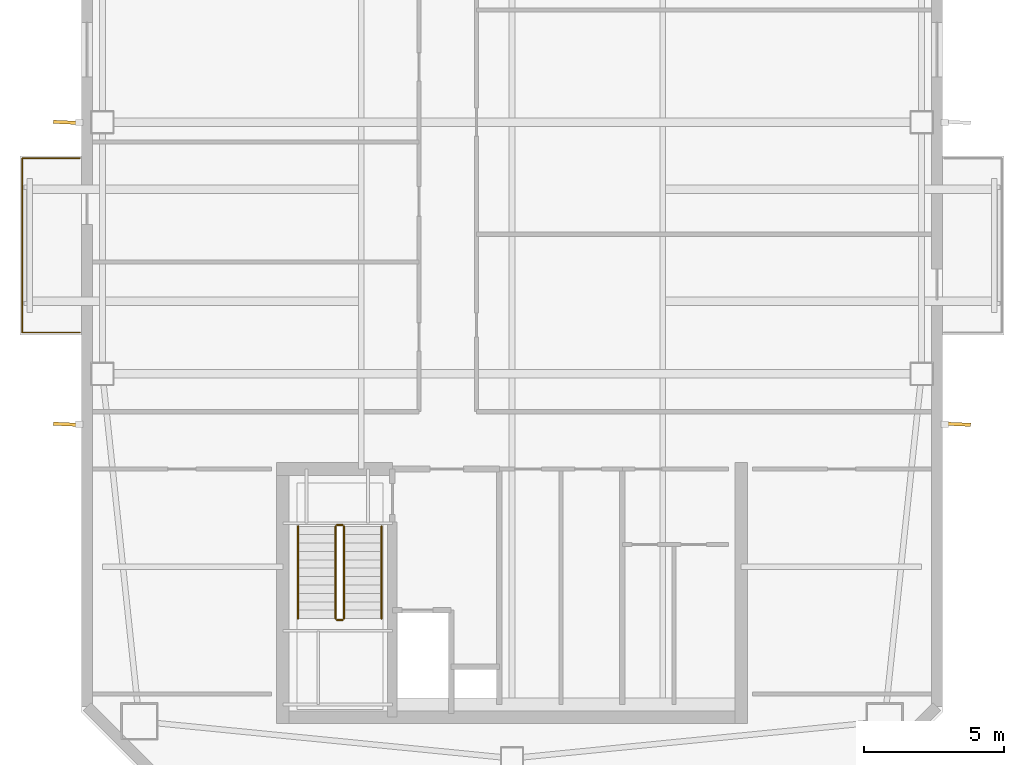
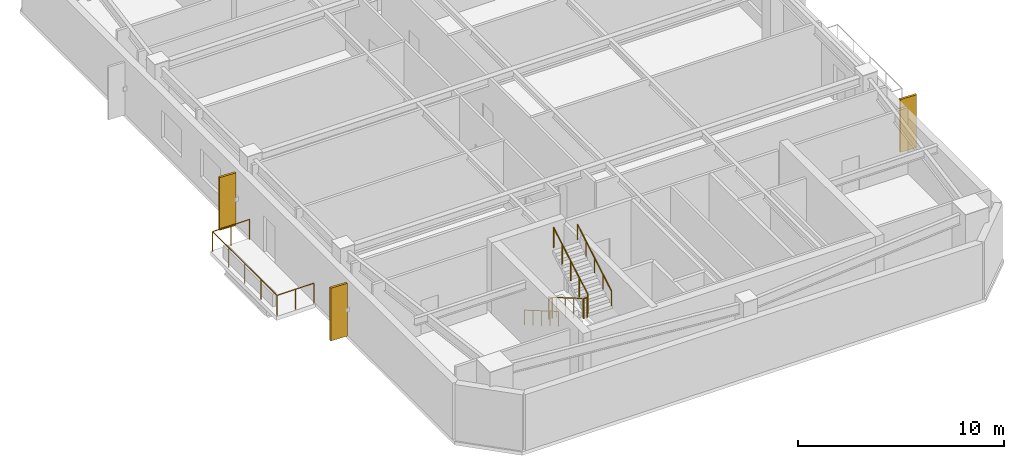
# One storey, part 5 of 6: 7 railings, 3 shading devices.
"""IFC4 building model written with IfcOpenShell, lengths in metres."""

from ifc_helpers import new_model, si_unit, direction, frame, origin, origin_2d, place, context, subcontext, project, spatial, rectangle, circle, extrude, material, layer, layer_set, type_object, element, save


model = new_model("IFC4")

# Units and contexts
model_context = context("Model", 3, precision=1e-05, world=origin(), true_north=direction((0.0, 1.0)))
body_context = subcontext(model_context, "Body", "Model", "MODEL_VIEW")
ifc_project = project(units=[si_unit("LENGTHUNIT", "METRE"), si_unit("AREAUNIT", "SQUARE_METRE"), si_unit("VOLUMEUNIT", "CUBIC_METRE"), si_unit("PLANEANGLEUNIT", "RADIAN"), si_unit("MASSUNIT", "GRAM", prefix="KILO")], contexts=[model_context])

# Site, building, storey
site_placement = place(None, origin())
site = spatial("IfcSite", under=ifc_project, at=site_placement, CompositionType="ELEMENT")
building_placement = place(site_placement, origin())
building = spatial("IfcBuilding", under=site, at=building_placement, Name="Qiaolan Cultural Towers", CompositionType="ELEMENT")
storey_placement = place(building_placement, frame((0.0, 0.0, 276.0)))
storey = spatial("IfcBuildingStorey", under=building, at=storey_placement, Name="L76", CompositionType="ELEMENT", Elevation=276.0)

# Railings
ifc_material_1 = material(Name="Laminated SentryGlas & Stainless Steel S31608 Balustrade", Category="steel")
railing_type_1 = type_object("IfcRailingType", Name="GRD-TERR-1200", PredefinedType="BALUSTRADE", material=ifc_material_1)
railing_1_placement = place(storey_placement, frame((14.550048828125, 26.47998046875, 0.0)))
element("IfcRailing", 1, at=railing_1_placement, inside=storey, type_object=railing_type_1, Name="L76 T1 Tree Balcony Guardrail W", PredefinedType="BALUSTRADE", context=body_context, shape_type="SweptSolid", body=[
    extrude(circle(Radius=0.02392578125, at=origin_2d()), frame((0.0, 0.0, 1.17578125), z_axis=(-1.0, 0.0, 0.0), x_axis=(0.0, -1.0, 0.0)), (0.0, 0.0, 1.0), 2.070068359375),
    extrude(circle(Radius=0.02392578125, at=origin_2d()), frame((-2.070068359375, 0.0, 1.17578125), z_axis=(0.0, 1.0, 0.0), x_axis=(-1.0, 0.0, 0.0)), (0.0, 0.0, 1.0), 6.239990234375),
    extrude(circle(Radius=0.02392578125, at=origin_2d()), frame((-2.070068359375, 6.239990234375, 1.17578125), z_axis=(1.0, 0.0, 0.0), x_axis=(0.0, 1.0, 0.0)), (0.0, 0.0, 1.0), 2.070068359375),
    extrude(circle(Radius=0.02099609375, at=origin_2d()), origin(), (0.0, 0.0, 1.0), 1.15185546875),
    extrude(circle(Radius=0.02099609375, at=origin_2d()), frame((-1.03515625, 0.0, 0.0)), (0.0, 0.0, 1.0), 1.15185546875),
    extrude(circle(Radius=0.02099609375, at=origin_2d()), frame((-2.070068359375, 0.0, 0.0)), (0.0, 0.0, 1.0), 1.15185546875),
    extrude(circle(Radius=0.02099609375, at=origin_2d()), frame((-2.070068359375, 1.56005859375, 0.0)), (0.0, 0.0, 1.0), 1.15185546875),
    extrude(circle(Radius=0.02099609375, at=origin_2d()), frame((-2.070068359375, 3.1201171875, 0.0)), (0.0, 0.0, 1.0), 1.15185546875),
    extrude(circle(Radius=0.02099609375, at=origin_2d()), frame((-2.070068359375, 4.679931640625, 0.0)), (0.0, 0.0, 1.0), 1.15185546875),
    extrude(circle(Radius=0.02099609375, at=origin_2d()), frame((-2.070068359375, 6.239990234375, 0.0)), (0.0, 0.0, 1.0), 1.15185546875),
    extrude(circle(Radius=0.02099609375, at=origin_2d()), frame((-1.03515625, 6.239990234375, 0.0)), (0.0, 0.0, 1.0), 1.15185546875),
    extrude(circle(Radius=0.02099609375, at=origin_2d()), frame((0.0, 6.239990234375, 0.0)), (0.0, 0.0, 1.0), 1.15185546875),
])
ifc_material_2 = material(Name="Galvanized Painted Steel Stair Guardrail", Category="steel")
railing_type_2 = type_object("IfcRailingType", Name="RL-STAIR-GRD", PredefinedType="GUARDRAIL", material=ifc_material_2)
railing_2_placement = place(storey_placement, frame((23.68994140625, 19.550048828125, 0.175048828125)))
element("IfcRailing", 2, at=railing_2_placement, inside=storey, type_object=railing_type_2, Name="L76 ST-W1 stair guard 1", PredefinedType="GUARDRAIL", context=body_context, shape_type="SweptSolid", body=[
    extrude(circle(Radius=0.02392578125, at=origin_2d()), frame((0.0, 0.0, 1.17578125), z_axis=(0.0, -0.863776583165, 0.503874998761), x_axis=(1.0, 0.0, 0.0)), (0.0, 0.0, 1.0), 3.820556640625),
    extrude(circle(Radius=0.02099609375, at=origin_2d()), origin(), (0.0, 0.0, 1.0), 1.15185546875),
    extrude(circle(Radius=0.02099609375, at=origin_2d()), frame((0.0, -0.824951171875, 0.481201171875)), (0.0, 0.0, 1.0), 1.15185546875),
    extrude(circle(Radius=0.02099609375, at=origin_2d()), frame((0.0, -1.64990234375, 0.96240234375)), (0.0, 0.0, 1.0), 1.15185546875),
    extrude(circle(Radius=0.02099609375, at=origin_2d()), frame((0.0, -2.47509765625, 1.44384765625)), (0.0, 0.0, 1.0), 1.15185546875),
    extrude(circle(Radius=0.02099609375, at=origin_2d()), frame((0.0, -3.300048828125, 1.925048828125)), (0.0, 0.0, 1.0), 1.15185546875),
])
railing_3_placement = place(storey_placement, frame((23.739990234375, 16.199951171875, 2.10009765625)))
element("IfcRailing", 3, at=railing_3_placement, inside=storey, type_object=railing_type_2, Name="L76 ST-W1 stair guard 2", PredefinedType="GUARDRAIL", context=body_context, shape_type="SweptSolid", body=[
    extrude(circle(Radius=0.02392578125, at=origin_2d()), frame((0.0, 0.0, 1.17578125), z_axis=(1.0, 0.0, 0.0), x_axis=(0.0, 1.0, 0.0)), (0.0, 0.0, 1.0), 0.199951171875),
    extrude(circle(Radius=0.02099609375, at=origin_2d()), origin(), (0.0, 0.0, 1.0), 1.15185546875),
    extrude(circle(Radius=0.02099609375, at=origin_2d()), frame((0.199951171875, 0.0, 0.0)), (0.0, 0.0, 1.0), 1.15185546875),
])
railing_4_placement = place(storey_placement, frame((23.989990234375, 16.25, 2.27490234375)))
element("IfcRailing", 4, at=railing_4_placement, inside=storey, type_object=railing_type_2, Name="L76 ST-W1 stair guard 3", PredefinedType="GUARDRAIL", context=body_context, shape_type="SweptSolid", body=[
    extrude(circle(Radius=0.02392578125, at=origin_2d()), frame((0.0, 0.0, 1.17578125), z_axis=(0.0, 0.863776583165, 0.503874998761), x_axis=(-1.0, 0.0, 0.0)), (0.0, 0.0, 1.0), 3.820556640625),
    extrude(circle(Radius=0.02099609375, at=origin_2d()), origin(), (0.0, 0.0, 1.0), 1.15185546875),
    extrude(circle(Radius=0.02099609375, at=origin_2d()), frame((0.0, 0.824951171875, 0.481201171875)), (0.0, 0.0, 1.0), 1.15185546875),
    extrude(circle(Radius=0.02099609375, at=origin_2d()), frame((0.0, 1.64990234375, 0.96240234375)), (0.0, 0.0, 1.0), 1.15185546875),
    extrude(circle(Radius=0.02099609375, at=origin_2d()), frame((0.0, 2.47509765625, 1.44384765625)), (0.0, 0.0, 1.0), 1.15185546875),
    extrude(circle(Radius=0.02099609375, at=origin_2d()), frame((0.0, 3.300048828125, 1.925048828125)), (0.0, 0.0, 1.0), 1.15185546875),
])
railing_5_placement = place(storey_placement, frame((23.739990234375, 19.60009765625, 0.0)))
element("IfcRailing", 5, at=railing_5_placement, inside=storey, type_object=railing_type_2, Name="L76 ST-W1 stair guard 4", PredefinedType="GUARDRAIL", context=body_context, shape_type="SweptSolid", body=[
    extrude(circle(Radius=0.02392578125, at=origin_2d()), frame((0.0, 0.0, 1.17578125), z_axis=(1.0, 0.0, 0.0), x_axis=(0.0, 1.0, 0.0)), (0.0, 0.0, 1.0), 0.199951171875),
    extrude(circle(Radius=0.02099609375, at=origin_2d()), origin(), (0.0, 0.0, 1.0), 1.15185546875),
    extrude(circle(Radius=0.02099609375, at=origin_2d()), frame((0.199951171875, 0.0, 0.0)), (0.0, 0.0, 1.0), 1.15185546875),
])
ifc_material_3 = material(Name="Stainless Steel S30408 Tubular Handrail", Category="steel")
railing_type_3 = type_object("IfcRailingType", Name="RL-STAIR-HR", PredefinedType="HANDRAIL", material=ifc_material_3)
railing_6_placement = place(storey_placement, frame((22.35009765625, 19.550048828125, 0.175048828125)))
element("IfcRailing", 6, at=railing_6_placement, inside=storey, type_object=railing_type_3, Name="L76 ST-W1 stair handrail 1", PredefinedType="HANDRAIL", context=body_context, shape_type="SweptSolid", body=[
    extrude(circle(Radius=0.02392578125, at=origin_2d()), frame((0.0, 0.0, 0.8759765625), z_axis=(0.0, -0.863776583165, 0.503874998761), x_axis=(1.0, 0.0, 0.0)), (0.0, 0.0, 1.0), 3.820556640625),
    extrude(circle(Radius=0.02099609375, at=origin_2d()), origin(), (0.0, 0.0, 1.0), 0.851806640625),
    extrude(circle(Radius=0.02099609375, at=origin_2d()), frame((0.0, -0.824951171875, 0.481201171875)), (0.0, 0.0, 1.0), 0.851806640625),
    extrude(circle(Radius=0.02099609375, at=origin_2d()), frame((0.0, -1.64990234375, 0.96240234375)), (0.0, 0.0, 1.0), 0.851806640625),
    extrude(circle(Radius=0.02099609375, at=origin_2d()), frame((0.0, -2.47509765625, 1.44384765625)), (0.0, 0.0, 1.0), 0.851806640625),
    extrude(circle(Radius=0.02099609375, at=origin_2d()), frame((0.0, -3.300048828125, 1.925048828125)), (0.0, 0.0, 1.0), 0.851806640625),
])
railing_7_placement = place(storey_placement, frame((25.330078125, 16.25, 2.27490234375)))
element("IfcRailing", 7, at=railing_7_placement, inside=storey, type_object=railing_type_3, Name="L76 ST-W1 stair handrail 2", PredefinedType="HANDRAIL", context=body_context, shape_type="SweptSolid", body=[
    extrude(circle(Radius=0.02392578125, at=origin_2d()), frame((0.0, 0.0, 0.8759765625), z_axis=(0.0, 0.863776583165, 0.503874998761), x_axis=(-1.0, 0.0, 0.0)), (0.0, 0.0, 1.0), 3.820556640625),
    extrude(circle(Radius=0.02099609375, at=origin_2d()), origin(), (0.0, 0.0, 1.0), 0.851806640625),
    extrude(circle(Radius=0.02099609375, at=origin_2d()), frame((0.0, 0.824951171875, 0.481201171875)), (0.0, 0.0, 1.0), 0.851806640625),
    extrude(circle(Radius=0.02099609375, at=origin_2d()), frame((0.0, 1.64990234375, 0.96240234375)), (0.0, 0.0, 1.0), 0.851806640625),
    extrude(circle(Radius=0.02099609375, at=origin_2d()), frame((0.0, 2.47509765625, 1.44384765625)), (0.0, 0.0, 1.0), 0.851806640625),
    extrude(circle(Radius=0.02099609375, at=origin_2d()), frame((0.0, 3.300048828125, 1.925048828125)), (0.0, 0.0, 1.0), 0.851806640625),
])

# Shading devices
ifc_material_4 = material(Name="Light Limestone Precast Vertical Fin", Category="masonry")
ifc_layer = layer(ifc_material_4, 0.1201171875)
ifc_layer_set = layer_set([ifc_layer], Name="Light Limestone Precast Vertical Fin")
shading_device_type = type_object("IfcShadingDeviceType", Name="SHD-FIN-WHITE", PredefinedType="USERDEFINED", material=ifc_layer_set)
for number, where, z_axis, x_axis, name in (
    (8, (14.0400390625, 23.199951171875, 0.10009765625), (0.0, 0.0, 1.0), (0.998966827039, -0.045445335018, 0.0), "L76 T1 Expressive Precast Vertical Fin W1"),
    (9, (14.0400390625, 34.0, 0.10009765625), (0.0, 0.0, 1.0), (0.998966827039, -0.045445335018, 0.0), "L76 T1 Expressive Precast Vertical Fin W2"),
    (10, (45.9599609375, 23.199951171875, 0.10009765625), (0.0, 0.0, 1.0), (0.998966827039, -0.045445335018, 0.0), "L76 T1 Expressive Precast Vertical Fin E1"),
):
    element("IfcShadingDevice", number, at=place(storey_placement, frame(where, z_axis=z_axis, x_axis=x_axis)), inside=storey, type_object=shading_device_type, Name=name, ObjectType="FIN", PredefinedType="USERDEFINED", context=body_context, shape_type="SweptSolid", body=[
        extrude(rectangle(XDim=0.89990234375, YDim=0.1201171875, at=origin_2d()), origin(), (0.0, 0.0, 1.0), 3.1298828125),
    ])

save(model, "model.ifc")
